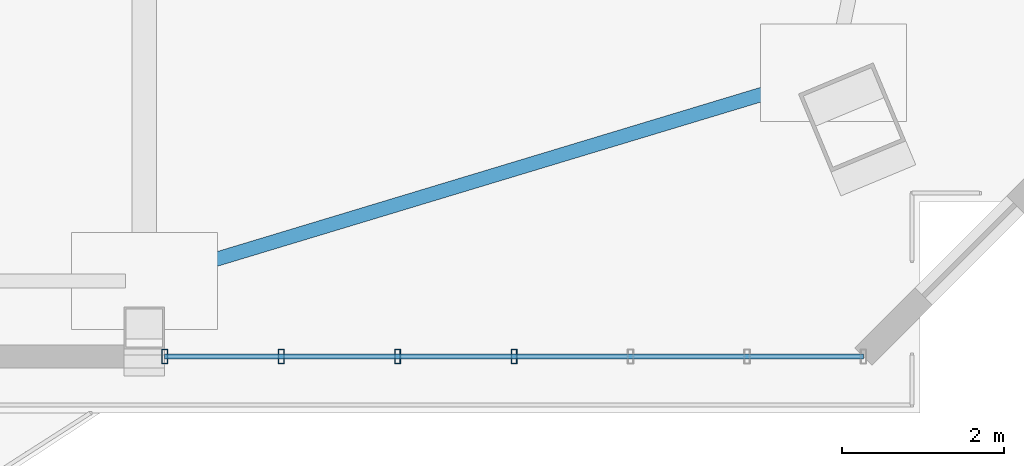
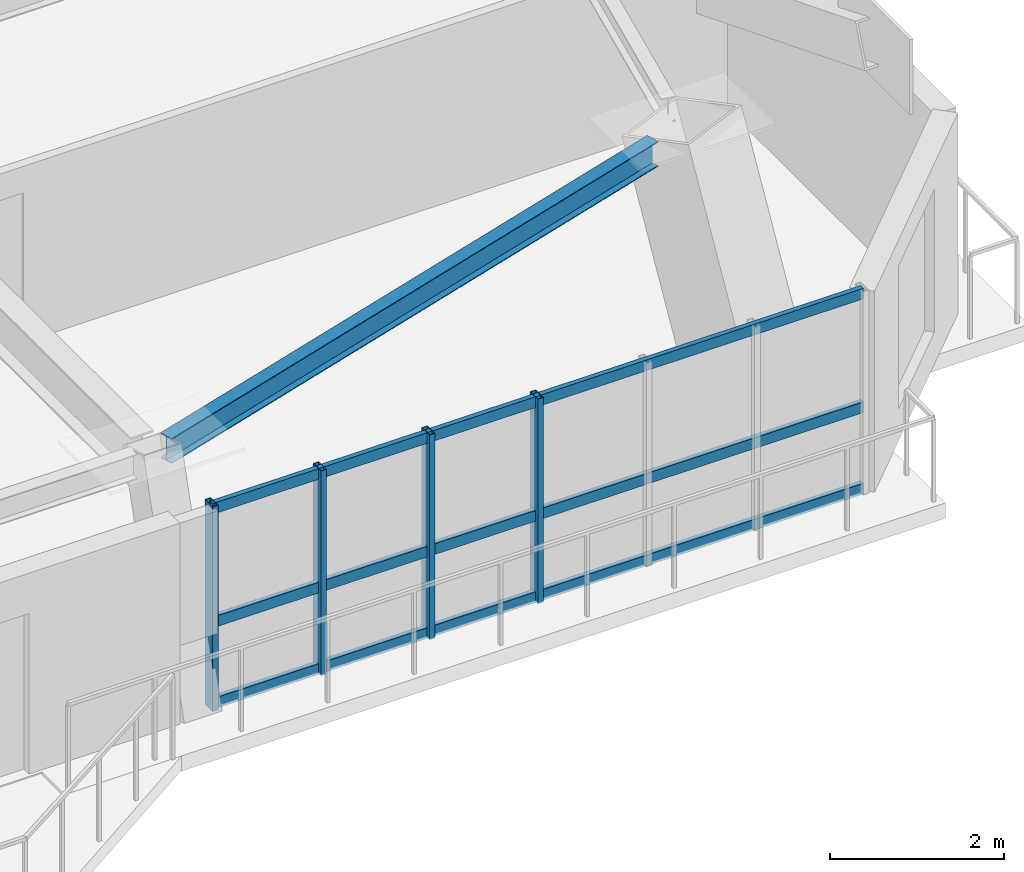
# One storey, part 4 of 16: 7 members, 1 beam, 1 element without a shape of its own.
"""IFC4 building model written with IfcOpenShell, lengths in metres."""

from ifc_helpers import new_model, si_unit, direction, frame, origin, origin_2d, place, context, subcontext, project, spatial, hollow_rectangle, i_section, extrude, source, transform, mapped, material, layer, layer_set, material_profile, profile_set, type_object, element, aggregate, save


model = new_model("IFC4")

# Units and contexts
model_context = context("Model", 3, precision=1e-05, world=origin(), true_north=direction((0.0, 1.0)))
body_context = subcontext(model_context, "Body", "Model", "MODEL_VIEW")
ifc_project = project(units=[si_unit("LENGTHUNIT", "METRE"), si_unit("AREAUNIT", "SQUARE_METRE"), si_unit("VOLUMEUNIT", "CUBIC_METRE"), si_unit("PLANEANGLEUNIT", "RADIAN"), si_unit("MASSUNIT", "GRAM", prefix="KILO")], contexts=[model_context])

# Site, building, storey
site_placement = place(None, origin())
site = spatial("IfcSite", under=ifc_project, at=site_placement, CompositionType="ELEMENT")
building_placement = place(site_placement, origin())
building = spatial("IfcBuilding", under=site, at=building_placement, Name="Giltprow Tower", CompositionType="ELEMENT")
storey_placement = place(building_placement, frame((0.0, 0.0, 255.300048828125)))
storey = spatial("IfcBuildingStorey", under=building, at=storey_placement, Name="L65", CompositionType="ELEMENT", Elevation=255.300048828125)

# Beam
ifc_material_1 = material(Name="Structural steel Q355B", Category="steel")
ifc_material_profile_1 = material_profile(ifc_material_1, i_section(OverallWidth=0.175048828125, OverallDepth=0.35009765625, WebThickness=0.007080078125, FlangeThickness=0.010986328125, at=origin_2d()), Name="HN 350x175x7x11")
ifc_profile_set_1 = profile_set([ifc_material_profile_1], Name="Structural steel Q355B")
beam_type = type_object("IfcBeamType", Name="BM-SPAN-HN350", PredefinedType="SPANDREL", material=ifc_profile_set_1)
shared_shape_1 = source(origin(), body_context, "Body", "SweptSolid", [
    extrude(i_section(OverallWidth=0.175048828125, OverallDepth=0.35009765625, WebThickness=0.007080078125, FlangeThickness=0.010986328125, at=origin_2d()), origin(), (0.0, 0.0, 1.0), 8.1630859375),
])
beam_placement = place(storey_placement, frame((50.77490234375, 16.113037109375, 3.010009765625), z_axis=(0.957257269876, 0.289237824756, 0.0), x_axis=(-0.289237824756, 0.957257269876, 0.0)))
element("IfcBeam", 1, at=beam_placement, inside=storey, type_object=beam_type, Name="L65 Perimeter Spandrel Beam S4-MC_SE", PredefinedType="SPANDREL", context=body_context, shape_type="MappedRepresentation", body=[
    mapped(shared_shape_1, transform((0.0, 0.0, 0.0), x_axis=(1.0, 0.0, 0.0), y_axis=(0.0, 1.0, 0.0), z_axis=(0.0, 0.0, 1.0), scale=1.0)),
])

# Curtain wall, members
ifc_material_2 = material(Name="Anodized bronze", Category="metal")
ifc_layer = layer(ifc_material_2, 0.179931640625, Name="Anodized bronze")
ifc_layer_set = layer_set([ifc_layer], Name="Anodized bronze")
curtain_wall_type = type_object("IfcCurtainWallType", Name="CW-RES-SKY", PredefinedType="NOTDEFINED", material=ifc_layer_set)
curtain_wall_placement = place(storey_placement, origin())
curtain_wall = element("IfcCurtainWall", 2, at=curtain_wall_placement, inside=storey, type_object=curtain_wall_type, Name="L65 South Recessed Curtain Wall 6", PredefinedType="NOTDEFINED")
ifc_material_profile_2 = material_profile(ifc_material_2, hollow_rectangle(XDim=0.074951171875, YDim=0.179931640625, WallThickness=0.008056640625, at=origin_2d()), Name="RHS 180x75x8")
ifc_profile_set_2 = profile_set([ifc_material_profile_2], Name="Anodized bronze")
member_type_1 = type_object("IfcMemberType", Name="CW-MULLION-180x75", PredefinedType="MULLION", material=ifc_profile_set_2)
shared_shape_2 = source(origin(), body_context, "Body", "SweptSolid", [
    extrude(hollow_rectangle(XDim=0.074951171875, YDim=0.179931640625, WallThickness=0.008056640625, at=origin_2d()), origin(), (0.0, 0.0, 1.0), 2.869873046875),
])
member_1_placement = place(storey_placement, frame((50.800048828125, 15.113037109375, -0.02001953125), z_axis=(0.0, 0.0, 1.0), x_axis=(1.0, 0.0, 0.0)))
member_1 = element("IfcMember", 3, at=member_1_placement, type_object=member_type_1, Name="L65 South Recessed Curtain Wall 6 Mullion 1", PredefinedType="MULLION", context=body_context, shape_type="MappedRepresentation", body=[
    mapped(shared_shape_2, transform((0.0, 0.0, 0.0), x_axis=(1.0, 0.0, 0.0), y_axis=(0.0, 1.0, 0.0), z_axis=(0.0, 0.0, 1.0), scale=1.0)),
])
member_2_placement = place(storey_placement, frame((52.237060546875, 15.113037109375, -0.02001953125), z_axis=(0.0, 0.0, 1.0), x_axis=(1.0, 0.0, 0.0)))
member_2 = element("IfcMember", 4, at=member_2_placement, type_object=member_type_1, Name="L65 South Recessed Curtain Wall 6 Mullion 2", PredefinedType="MULLION", context=body_context, shape_type="MappedRepresentation", body=[
    mapped(shared_shape_2, transform((0.0, 0.0, 0.0), x_axis=(1.0, 0.0, 0.0), y_axis=(0.0, 1.0, 0.0), z_axis=(0.0, 0.0, 1.0), scale=1.0)),
])
member_3_placement = place(storey_placement, frame((53.674072265625, 15.113037109375, -0.02001953125), z_axis=(0.0, 0.0, 1.0), x_axis=(1.0, 0.0, 0.0)))
member_3 = element("IfcMember", 5, at=member_3_placement, type_object=member_type_1, Name="L65 South Recessed Curtain Wall 6 Mullion 3", PredefinedType="MULLION", context=body_context, shape_type="MappedRepresentation", body=[
    mapped(shared_shape_2, transform((0.0, 0.0, 0.0), x_axis=(1.0, 0.0, 0.0), y_axis=(0.0, 1.0, 0.0), z_axis=(0.0, 0.0, 1.0), scale=1.0)),
])
member_4_placement = place(storey_placement, frame((55.111083984375, 15.113037109375, -0.02001953125), z_axis=(0.0, 0.0, 1.0), x_axis=(1.0, 0.0, 0.0)))
member_4 = element("IfcMember", 6, at=member_4_placement, type_object=member_type_1, Name="L65 South Recessed Curtain Wall 6 Mullion 4", PredefinedType="MULLION", context=body_context, shape_type="MappedRepresentation", body=[
    mapped(shared_shape_2, transform((0.0, 0.0, 0.0), x_axis=(1.0, 0.0, 0.0), y_axis=(0.0, 1.0, 0.0), z_axis=(0.0, 0.0, 1.0), scale=1.0)),
])
ifc_material_profile_3 = material_profile(ifc_material_2, hollow_rectangle(XDim=0.06494140625, YDim=0.14990234375, WallThickness=0.006103515625, at=origin_2d()), Name="RHS 150x65x6")
ifc_profile_set_3 = profile_set([ifc_material_profile_3], Name="Anodized bronze")
member_type_2 = type_object("IfcMemberType", Name="CW-TRANSOM-150x65", PredefinedType="USERDEFINED", material=ifc_profile_set_3)
shared_shape_3 = source(origin(), body_context, "Body", "SweptSolid", [
    extrude(hollow_rectangle(XDim=0.06494140625, YDim=0.14990234375, WallThickness=0.006103515625, at=origin_2d()), origin(), (0.0, 0.0, 1.0), 8.6220703125),
])
member_5_placement = place(storey_placement, frame((50.800048828125, 15.113037109375, 0.0400390625), z_axis=(1.0, 0.0, 0.0), x_axis=(0.0, 1.0, 0.0)))
member_5 = element("IfcMember", 7, at=member_5_placement, type_object=member_type_2, Name="L65 South Recessed Curtain Wall 6 Transom 1", ObjectType="TRANSOM", PredefinedType="USERDEFINED", context=body_context, shape_type="MappedRepresentation", body=[
    mapped(shared_shape_3, transform((0.0, 0.0, 0.0), x_axis=(1.0, 0.0, 0.0), y_axis=(0.0, 1.0, 0.0), z_axis=(0.0, 0.0, 1.0), scale=1.0)),
])
member_6_placement = place(storey_placement, frame((50.800048828125, 15.113037109375, 1.181884765625), z_axis=(1.0, 0.0, 0.0), x_axis=(0.0, 1.0, 0.0)))
member_6 = element("IfcMember", 8, at=member_6_placement, type_object=member_type_2, Name="L65 South Recessed Curtain Wall 6 Transom 2", ObjectType="TRANSOM", PredefinedType="USERDEFINED", context=body_context, shape_type="MappedRepresentation", body=[
    mapped(shared_shape_3, transform((0.0, 0.0, 0.0), x_axis=(1.0, 0.0, 0.0), y_axis=(0.0, 1.0, 0.0), z_axis=(0.0, 0.0, 1.0), scale=1.0)),
])
member_7_placement = place(storey_placement, frame((50.800048828125, 15.113037109375, 2.77490234375), z_axis=(1.0, 0.0, 0.0), x_axis=(0.0, 1.0, 0.0)))
member_7 = element("IfcMember", 9, at=member_7_placement, type_object=member_type_2, Name="L65 South Recessed Curtain Wall 6 Transom 3", ObjectType="TRANSOM", PredefinedType="USERDEFINED", context=body_context, shape_type="MappedRepresentation", body=[
    mapped(shared_shape_3, transform((0.0, 0.0, 0.0), x_axis=(1.0, 0.0, 0.0), y_axis=(0.0, 1.0, 0.0), z_axis=(0.0, 0.0, 1.0), scale=1.0)),
])
aggregate(curtain_wall, [member_1, member_2, member_3, member_4, member_5, member_6, member_7])

save(model, "model.ifc")
